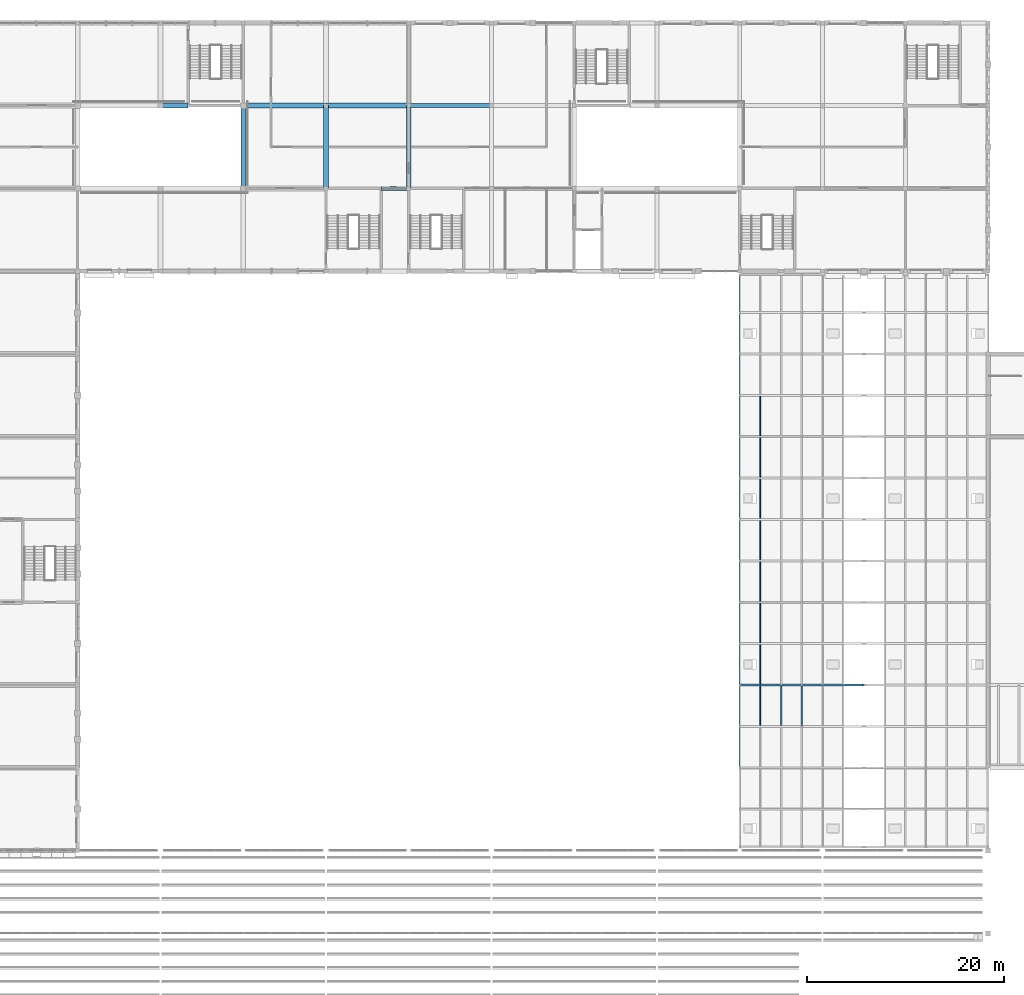
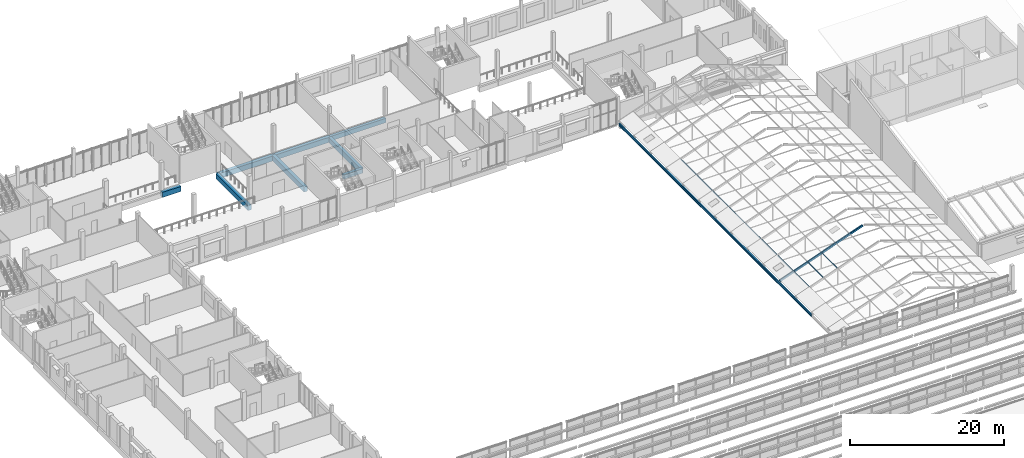
# One storey, part 42 of 116: 11 members, 9 beams.
"""IFC4 building model written with IfcOpenShell, lengths in metres."""

import ifcopenshell
import ifcopenshell.guid

model = None  # the IFC model being written
_history = None  # IfcOwnerHistory: only IFC2X3 demands one
_inside = {}  # id of a spatial element -> (the spatial element, [elements in it])
_under = {}  # id of a project, library or spatial element -> (it, [spatial elements below it])
_declared = {}  # id of a project -> (the project, [libraries it declares])
_typed = {}  # id of a type object -> (the type object, [elements of that type])
_made_of = {}  # id of a material, layer set ... -> (it, [elements and type objects made of it])


def new_model(schema):
    """Start an empty IFC model of exactly this schema.

    Asked for "IFC4X3", IfcOpenShell would pick the latest addendum, in which some entities
    have other attributes; the version numbers below select the first issue.
    IFC2X3 requires an IfcOwnerHistory on every rooted entity: one is made here for all.
    """
    global model, _history
    if schema == "IFC4X3":
        model = ifcopenshell.file(schema_version=(4, 3, 0, 0))
    else:
        model = ifcopenshell.file(schema=schema)
    _inside.clear()
    _under.clear()
    _declared.clear()
    _typed.clear()
    _made_of.clear()
    _history = None
    if model.schema == "IFC2X3":
        org = make("IfcOrganization", Name="unknown")
        user = make(
            "IfcPersonAndOrganization",
            ThePerson=make("IfcPerson", FamilyName="unknown"),
            TheOrganization=org,
        )
        app = make(
            "IfcApplication",
            ApplicationDeveloper=org,
            Version="unknown",
            ApplicationFullName="unknown",
            ApplicationIdentifier="unknown",
        )
        _history = make(
            "IfcOwnerHistory",
            OwningUser=user,
            OwningApplication=app,
            ChangeAction="ADDED",
            CreationDate=0,
        )
    return model


def make(cls, **values):
    """One entity of the class cls with the attributes given. An attribute that is None is left unset."""
    return model.create_entity(
        cls, **{name: value for name, value in values.items() if value is not None}
    )


def rooted(cls, **values):
    """An entity with a GlobalId (a new one), such as an element, a storey or a relation."""
    return make(cls, GlobalId=ifcopenshell.guid.new(), OwnerHistory=_history, **values)


def si_unit(unit_type, name, prefix=None):
    """IfcSIUnit, for example si_unit("LENGTHUNIT", "METRE", prefix="MILLI")."""
    return make("IfcSIUnit", UnitType=unit_type, Prefix=prefix, Name=name)


def assignment(units):
    """IfcUnitAssignment: the units of a project."""
    return None if units is None else make("IfcUnitAssignment", Units=units)


def point(xyz):
    """IfcCartesianPoint."""
    return None if xyz is None else make("IfcCartesianPoint", Coordinates=xyz)


def direction(xyz):
    """IfcDirection."""
    return None if xyz is None else make("IfcDirection", DirectionRatios=xyz)


def frame(location, z_axis=None, x_axis=None):
    """IfcAxis2Placement3D, a coordinate frame: its origin and axes. An axis left out is left unset."""
    return make(
        "IfcAxis2Placement3D",
        Location=point(location),
        Axis=direction(z_axis),
        RefDirection=direction(x_axis),
    )


def frame_2d(location, x_axis=None):
    """IfcAxis2Placement2D, a coordinate frame in the plane: its origin and x axis."""
    return make(
        "IfcAxis2Placement2D", Location=point(location), RefDirection=direction(x_axis)
    )


def origin():
    """The frame at (0, 0, 0) with its axes left unset."""
    return frame((0.0, 0.0, 0.0))


def origin_2d():
    """The frame at (0, 0) in the plane with its x axis left unset."""
    return frame_2d((0.0, 0.0))


def place(relative_to, where):
    """IfcLocalPlacement: puts the frame where relative to a parent placement (None: the world)."""
    return make(
        "IfcLocalPlacement", PlacementRelTo=relative_to, RelativePlacement=where
    )


def context(
    kind, dimensions, precision=None, world=None, true_north=None, identifier=None
):
    """IfcGeometricRepresentationContext, for example the 3D "Model" context."""
    return make(
        "IfcGeometricRepresentationContext",
        ContextIdentifier=identifier,
        ContextType=kind,
        CoordinateSpaceDimension=dimensions,
        Precision=precision,
        WorldCoordinateSystem=world,
        TrueNorth=true_north,
    )


def subcontext(parent, identifier, kind, view, scale=None):
    """IfcGeometricRepresentationSubContext, for example "Body" below "Model"."""
    return make(
        "IfcGeometricRepresentationSubContext",
        ContextIdentifier=identifier,
        ContextType=kind,
        ParentContext=parent,
        TargetScale=scale,
        TargetView=view,
    )


def project(units=None, contexts=None):
    """IfcProject with its units and contexts."""
    return rooted(
        "IfcProject",
        Name="project",
        RepresentationContexts=contexts,
        UnitsInContext=assignment(units),
    )


def spatial(cls, under=None, at=None, **own):
    """A site, building, storey or space (cls), placed at a placement, below another one or the project."""
    s = rooted(cls, ObjectPlacement=at, **own)
    if under is not None:
        _under.setdefault(under.id(), (under, []))[1].append(s)
    return s


def profile(cls, at=None, kind="AREA", **sizes):
    """A parametric profile (cls). Its sizes go by their IFC names, for example OverallWidth=200.0."""
    return make(cls, ProfileType=kind, Position=at, **sizes)


def rectangle(**sizes):
    """IfcRectangleProfileDef."""
    return profile("IfcRectangleProfileDef", **sizes)


def hollow_rectangle(**sizes):
    """IfcRectangleHollowProfileDef."""
    return profile("IfcRectangleHollowProfileDef", **sizes)


def i_section(**sizes):
    """IfcIShapeProfileDef."""
    return profile("IfcIShapeProfileDef", **sizes)


def extrude(swept, where, along, depth):
    """IfcExtrudedAreaSolid: the profile swept, set in the frame where, extruded along a direction by depth."""
    return make(
        "IfcExtrudedAreaSolid",
        SweptArea=swept,
        Position=where,
        ExtrudedDirection=direction(along),
        Depth=depth,
    )


def shape(context_of_items, identifier, shape_type, items):
    """IfcShapeRepresentation: the items that make up one representation, for example the "Body"."""
    return make(
        "IfcShapeRepresentation",
        ContextOfItems=context_of_items,
        RepresentationIdentifier=identifier,
        RepresentationType=shape_type,
        Items=items,
    )


def material(Name=None, Category=None):
    """IfcMaterial."""
    return make("IfcMaterial", Name=Name, Category=Category)


def material_profile(
    of_material, cross_section, Name=None, Category=None, Priority=None
):
    """IfcMaterialProfile: a cross section and its material."""
    return make(
        "IfcMaterialProfile",
        Name=Name,
        Material=of_material,
        Profile=cross_section,
        Priority=Priority,
        Category=Category,
    )


def profile_set(profiles, Name=None, composite=None):
    """IfcMaterialProfileSet."""
    return make(
        "IfcMaterialProfileSet",
        Name=Name,
        MaterialProfiles=profiles,
        CompositeProfile=composite,
    )


def made_of(thing, what):
    """Note that an element or type object is made of a material, layer set ...; save() writes the relation."""
    if what is not None:
        _made_of.setdefault(what.id(), (what, []))[1].append(thing)
    return thing


def type_object(cls, material=None, **own):
    """A type object (cls), such as IfcWallType, which elements share."""
    return made_of(rooted(cls, **own), material)


def element(
    cls,
    number,
    at=None,
    inside=None,
    cuts=None,
    type_object=None,
    material=None,
    context=None,
    identifier="Body",
    shape_type=None,
    held_by="IfcProductDefinitionShape",
    body=None,
    shapes=None,
    **own,
):
    """One element of the class cls, such as IfcWall. Its Tag is "e" and its number.

    at: its placement. inside: the storey or other place that contains it. cuts: it is an
    opening in that element (IfcRelVoidsElement). A single representation is given by context,
    identifier, shape_type and body (its items); several are given by shapes. held_by: the class
    of the entity that holds the representations. save() writes the other relations.
    """
    e = rooted(cls, Tag="e%d" % number, ObjectPlacement=at, **own)
    if body is not None:
        shapes = [shape(context, identifier, shape_type, body)]
    if shapes is not None:
        e.Representation = make(held_by, Representations=shapes)
    if inside is not None:
        _inside.setdefault(inside.id(), (inside, []))[1].append(e)
    if cuts is not None:
        rooted(
            "IfcRelVoidsElement", RelatingBuildingElement=cuts, RelatedOpeningElement=e
        )
    if type_object is not None:
        _typed.setdefault(type_object.id(), (type_object, []))[1].append(e)
    return made_of(e, material)


def aggregate(whole, parts):
    """IfcRelAggregates: a whole, such as a stair, and the parts it consists of."""
    return rooted("IfcRelAggregates", RelatingObject=whole, RelatedObjects=parts)


def save(model, path):
    """Write the relations noted so far, then the file.

    IfcRelAggregates (storeys below a building ...), IfcRelContainedInSpatialStructure (elements
    in a storey), IfcRelDefinesByType, IfcRelAssociatesMaterial and IfcRelDeclares: one each for
    every whole, place, type object, material and project.
    """
    for whole, parts in _under.values():
        aggregate(whole, parts)
    for where, things in _inside.values():
        rooted(
            "IfcRelContainedInSpatialStructure",
            RelatedElements=things,
            RelatingStructure=where,
        )
    for kind, things in _typed.values():
        rooted("IfcRelDefinesByType", RelatedObjects=things, RelatingType=kind)
    for what, things in _made_of.values():
        rooted("IfcRelAssociatesMaterial", RelatedObjects=things, RelatingMaterial=what)
    for by, libraries in _declared.values():
        rooted("IfcRelDeclares", RelatingContext=by, RelatedDefinitions=libraries)
    model.write(path)


model = new_model("IFC4")

# Units and contexts
model_context = context("Model", 3, precision=1e-05, world=origin(), true_north=direction((0.0, 1.0)))
body_context = subcontext(model_context, "Body", "Model", "MODEL_VIEW")
ifc_project = project(units=[si_unit("LENGTHUNIT", "METRE"), si_unit("AREAUNIT", "SQUARE_METRE"), si_unit("VOLUMEUNIT", "CUBIC_METRE"), si_unit("PLANEANGLEUNIT", "RADIAN"), si_unit("MASSUNIT", "GRAM", prefix="KILO")], contexts=[model_context])

# Site, building, storey
site_placement = place(None, origin())
site = spatial("IfcSite", under=ifc_project, at=site_placement, CompositionType="ELEMENT")
building_placement = place(site_placement, origin())
building = spatial("IfcBuilding", under=site, at=building_placement, Name="Fescue Hill Polytechnic", CompositionType="ELEMENT")
storey_placement = place(building_placement, frame((0.0, 0.0, 13.5)))
storey = spatial("IfcBuildingStorey", under=building, at=storey_placement, Name="L03", CompositionType="ELEMENT", Elevation=13.5)

# Beams
ifc_material_1 = material(Name="Concrete 35 MPa", Category="concrete")
ifc_material_profile_1 = material_profile(ifc_material_1, rectangle(XDim=0.39990234375, YDim=0.699951171875, at=origin_2d()), Name="RC 400x700")
ifc_profile_set_1 = profile_set([ifc_material_profile_1], Name="Concrete 35 MPa")
beam_type_1 = type_object("IfcBeamType", Name="Beam RC 400x700", PredefinedType="BEAM", material=ifc_profile_set_1)
beam_1_placement = place(storey_placement, frame((58.81005859375, 126.0, -0.64990234375), z_axis=(1.0, 0.0, 0.0), x_axis=(0.0, 1.0, 0.0)))
element("IfcBeam", 1, at=beam_1_placement, inside=storey, type_object=beam_type_1, Name="BM-L03-0081", PredefinedType="BEAM", context=body_context, shape_type="SweptSolid", body=[
    extrude(rectangle(XDim=0.39990234375, YDim=0.699951171875, at=origin_2d()), origin(), (0.0, 0.0, 1.0), 8.3798828125),
])
ifc_material_profile_2 = material_profile(ifc_material_1, rectangle(XDim=0.449951171875, YDim=0.699951171875, at=origin_2d()), Name="RC 450x700")
ifc_profile_set_2 = profile_set([ifc_material_profile_2], Name="Concrete 35 MPa")
beam_type_2 = type_object("IfcBeamType", Name="Beam RC 450x700", PredefinedType="BEAM", material=ifc_profile_set_2)
beam_2_placement = place(storey_placement, frame((56.0, 117.60009765625, -0.64990234375), z_axis=(1.0, 0.0, 0.0), x_axis=(0.0, 1.0, 0.0)))
element("IfcBeam", 2, at=beam_2_placement, inside=storey, type_object=beam_type_2, Name="BM-L03-0078", PredefinedType="BEAM", context=body_context, shape_type="SweptSolid", body=[
    extrude(rectangle(XDim=0.449951171875, YDim=0.699951171875, at=origin_2d()), origin(), (0.0, 0.0, 1.0), 2.800048828125),
])
ifc_material_profile_3 = material_profile(ifc_material_1, rectangle(XDim=0.449951171875, YDim=0.85009765625, at=origin_2d()), Name="RC 450x850")
ifc_profile_set_3 = profile_set([ifc_material_profile_3], Name="Concrete 35 MPa")
beam_type_3 = type_object("IfcBeamType", Name="Beam RC 450x850", PredefinedType="BEAM", material=ifc_profile_set_3)
beam_3_placement = place(storey_placement, frame((58.800048828125, 117.60009765625, -0.72509765625), z_axis=(0.0, 1.0, 0.0), x_axis=(-1.0, 0.0, 0.0)))
element("IfcBeam", 3, at=beam_3_placement, inside=storey, type_object=beam_type_3, Name="BM-L03-0079", PredefinedType="BEAM", context=body_context, shape_type="SweptSolid", body=[
    extrude(rectangle(XDim=0.449951171875, YDim=0.85009765625, at=origin_2d()), origin(), (0.0, 0.0, 1.0), 8.39990234375),
])
ifc_material_profile_4 = material_profile(ifc_material_1, rectangle(XDim=0.5, YDim=0.800048828125, at=origin_2d()), Name="RC 500x800")
ifc_profile_set_4 = profile_set([ifc_material_profile_4], Name="Concrete 35 MPa")
beam_type_4 = type_object("IfcBeamType", Name="Beam RC 500x800", PredefinedType="BEAM", material=ifc_profile_set_4)
beam_4_placement = place(storey_placement, frame((33.610107421875, 126.0, -0.699951171875), z_axis=(1.0, 0.0, 0.0), x_axis=(0.0, 1.0, 0.0)))
element("IfcBeam", 4, at=beam_4_placement, inside=storey, type_object=beam_type_4, Name="BM-L03-0065", PredefinedType="BEAM", context=body_context, shape_type="SweptSolid", body=[
    extrude(rectangle(XDim=0.5, YDim=0.800048828125, at=origin_2d()), origin(), (0.0, 0.0, 1.0), 2.789794921875),
])
beam_5_placement = place(storey_placement, frame((42.0, 117.60009765625, -0.699951171875), z_axis=(0.0, 1.0, 0.0), x_axis=(-1.0, 0.0, 0.0)))
element("IfcBeam", 5, at=beam_5_placement, inside=storey, type_object=beam_type_4, Name="BM-L03-0068", PredefinedType="BEAM", context=body_context, shape_type="SweptSolid", body=[
    extrude(rectangle(XDim=0.5, YDim=0.800048828125, at=origin_2d()), origin(), (0.0, 0.0, 1.0), 8.39990234375),
])
beam_6_placement = place(storey_placement, frame((42.010009765625, 126.0, -0.699951171875), z_axis=(1.0, 0.0, 0.0), x_axis=(0.0, 1.0, 0.0)))
element("IfcBeam", 6, at=beam_6_placement, inside=storey, type_object=beam_type_4, Name="BM-L03-0072", PredefinedType="BEAM", context=body_context, shape_type="SweptSolid", body=[
    extrude(rectangle(XDim=0.5, YDim=0.800048828125, at=origin_2d()), origin(), (0.0, 0.0, 1.0), 8.3798828125),
])
beam_7_placement = place(storey_placement, frame((50.39990234375, 117.60009765625, -0.699951171875), z_axis=(0.0, 1.0, 0.0), x_axis=(-1.0, 0.0, 0.0)))
element("IfcBeam", 7, at=beam_7_placement, inside=storey, type_object=beam_type_4, Name="BM-L03-0073", PredefinedType="BEAM", context=body_context, shape_type="SweptSolid", body=[
    extrude(rectangle(XDim=0.5, YDim=0.800048828125, at=origin_2d()), origin(), (0.0, 0.0, 1.0), 8.39990234375),
])
beam_8_placement = place(storey_placement, frame((50.409912109375, 126.0, -0.699951171875), z_axis=(1.0, 0.0, 0.0), x_axis=(0.0, 1.0, 0.0)))
element("IfcBeam", 8, at=beam_8_placement, inside=storey, type_object=beam_type_4, Name="BM-L03-0075", PredefinedType="BEAM", context=body_context, shape_type="SweptSolid", body=[
    extrude(rectangle(XDim=0.5, YDim=0.800048828125, at=origin_2d()), origin(), (0.0, 0.0, 1.0), 8.380126953125),
])
ifc_material_2 = material(Name="Steel 350W (350 MPa)", Category="steel")
ifc_material_profile_5 = material_profile(ifc_material_2, i_section(OverallWidth=0.180908203125, OverallDepth=0.4169921875, WebThickness=0.010986328125, FlangeThickness=0.018310546875, FilletRadius=0.016845703125, at=origin_2d()), Name="W410x85")
ifc_profile_set_5 = profile_set([ifc_material_profile_5], Name="Steel 350W (350 MPa)")
beam_type_5 = type_object("IfcBeamType", Name="Winter garden eaves beam W410x85", PredefinedType="BEAM", material=ifc_profile_set_5)
beam_9_placement = place(storey_placement, frame((92.39990234375, 58.800048828125, 0.20849609375), z_axis=(0.0, 1.0, 0.0), x_axis=(-1.0, 0.0, 0.0)))
element("IfcBeam", 9, at=beam_9_placement, inside=storey, type_object=beam_type_5, Name="Winter garden eaves beam west", PredefinedType="BEAM", context=body_context, shape_type="SweptSolid", body=[
    extrude(i_section(OverallWidth=0.180908203125, OverallDepth=0.4169921875, WebThickness=0.010986328125, FlangeThickness=0.018310546875, FilletRadius=0.016845703125, at=origin_2d()), origin(), (0.0, 0.0, 1.0), 50.050048828125),
])

# Members
ifc_material_profile_6 = material_profile(ifc_material_2, hollow_rectangle(XDim=0.1015625, YDim=0.15234375, WallThickness=0.00634765625, InnerFilletRadius=0.00634765625, OuterFilletRadius=0.0126953125, at=origin_2d()), Name="Winter garden glazing purlin HSS 152x102x6.4")
ifc_profile_set_6 = profile_set([ifc_material_profile_6], Name="Steel 350W (350 MPa)")
member_type_1 = type_object("IfcMemberType", Name="Winter garden glazing purlin HSS 152x102x6.4", PredefinedType="PURLIN", material=ifc_profile_set_6)
for number, where, z_axis, x_axis, name in (
    (10, (94.5, 63.1015625, 1.41455078125), (0.0, 1.0, 0.0), (-1.0, 0.0, 0.0), "Winter garden glazing purlin W1 bay 4"),
    (11, (96.599853515625, 63.1015625, 2.164306640625), (0.0, 1.0, 0.0), (-1.0, 0.0, 0.0), "Winter garden glazing purlin W2 bay 4"),
    (12, (98.69970703125, 63.1015625, 2.914306640625), (0.0, 1.0, 0.0), (-1.0, 0.0, 0.0), "Winter garden glazing purlin W3 bay 4"),
    (13, (94.5, 67.301513671875, 1.41455078125), (0.0, 1.0, 0.0), (-1.0, 0.0, 0.0), "Winter garden glazing purlin W1 bay 5"),
):
    element("IfcMember", number, at=place(storey_placement, frame(where, z_axis=z_axis, x_axis=x_axis)), inside=storey, type_object=member_type_1, Name=name, PredefinedType="PURLIN", context=body_context, shape_type="SweptSolid", body=[
        extrude(hollow_rectangle(XDim=0.1015625, YDim=0.15234375, WallThickness=0.00634765625, InnerFilletRadius=0.00634765625, OuterFilletRadius=0.0126953125, at=origin_2d()), origin(), (0.0, 0.0, 1.0), 3.996826171875),
    ])
member_1_placement = place(storey_placement, frame((94.5, 71.501708984375, 1.41455078125), z_axis=(0.0, 1.0, 0.0), x_axis=(-1.0, 0.0, 0.0)))
element("IfcMember", 14, at=member_1_placement, inside=storey, type_object=member_type_1, Name="Winter garden glazing purlin W1 bay 6", PredefinedType="PURLIN", context=body_context, shape_type="SweptSolid", body=[
    extrude(hollow_rectangle(XDim=0.1015625, YDim=0.15234375, WallThickness=0.00634765625, InnerFilletRadius=0.00634765625, OuterFilletRadius=0.0126953125, at=origin_2d()), origin(), (0.0, 0.0, 1.0), 3.99658203125),
])
for number, where, z_axis, x_axis, name in (
    (15, (94.5, 75.70166015625, 1.41455078125), (0.0, 1.0, 0.0), (-1.0, 0.0, 0.0), "Winter garden glazing purlin W1 bay 7"),
    (16, (94.5, 79.901611328125, 1.41455078125), (0.0, 1.0, 0.0), (-1.0, 0.0, 0.0), "Winter garden glazing purlin W1 bay 8"),
    (17, (94.5, 84.1015625, 1.41455078125), (0.0, 1.0, 0.0), (-1.0, 0.0, 0.0), "Winter garden glazing purlin W1 bay 9"),
    (18, (94.5, 88.301513671875, 1.41455078125), (0.0, 1.0, 0.0), (-1.0, 0.0, 0.0), "Winter garden glazing purlin W1 bay 10"),
):
    element("IfcMember", number, at=place(storey_placement, frame(where, z_axis=z_axis, x_axis=x_axis)), inside=storey, type_object=member_type_1, Name=name, PredefinedType="PURLIN", context=body_context, shape_type="SweptSolid", body=[
        extrude(hollow_rectangle(XDim=0.1015625, YDim=0.15234375, WallThickness=0.00634765625, InnerFilletRadius=0.00634765625, OuterFilletRadius=0.0126953125, at=origin_2d()), origin(), (0.0, 0.0, 1.0), 3.996826171875),
    ])
member_2_placement = place(storey_placement, frame((94.5, 92.501708984375, 1.41455078125), z_axis=(0.0, 1.0, 0.0), x_axis=(-1.0, 0.0, 0.0)))
element("IfcMember", 19, at=member_2_placement, inside=storey, type_object=member_type_1, Name="Winter garden glazing purlin W1 bay 11", PredefinedType="PURLIN", context=body_context, shape_type="SweptSolid", body=[
    extrude(hollow_rectangle(XDim=0.1015625, YDim=0.15234375, WallThickness=0.00634765625, InnerFilletRadius=0.00634765625, OuterFilletRadius=0.0126953125, at=origin_2d()), origin(), (0.0, 0.0, 1.0), 3.99658203125),
])
ifc_material_profile_7 = material_profile(ifc_material_2, hollow_rectangle(XDim=0.203125, YDim=0.3046875, WallThickness=0.009521484375, InnerFilletRadius=0.009521484375, OuterFilletRadius=0.01904296875, at=origin_2d()), Name="Winter garden rafter HSS 305x203x9.5")
ifc_profile_set_7 = profile_set([ifc_material_profile_7], Name="Steel 350W (350 MPa)")
member_type_2 = type_object("IfcMemberType", Name="Winter garden rafter HSS 305x203x9.5", PredefinedType="RAFTER", material=ifc_profile_set_7)
member_3_placement = place(storey_placement, frame((92.39990234375, 67.199951171875, 0.578857421875), z_axis=(0.941740247025, 0.0, 0.336341057756), x_axis=(0.0, 1.0, 0.0)))
element("IfcMember", 20, at=member_3_placement, inside=storey, type_object=member_type_2, Name="Winter garden rafter W5", PredefinedType="RAFTER", context=body_context, shape_type="SweptSolid", body=[
    extrude(hollow_rectangle(XDim=0.203125, YDim=0.3046875, WallThickness=0.009521484375, InnerFilletRadius=0.009521484375, OuterFilletRadius=0.01904296875, at=origin_2d()), origin(), (0.0, 0.0, 1.0), 13.273193359375),
])

save(model, "model.ifc")
